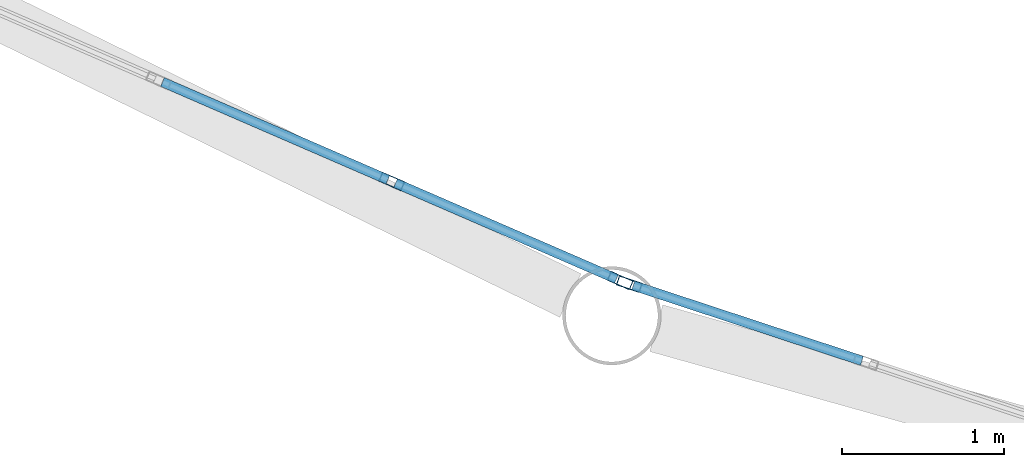
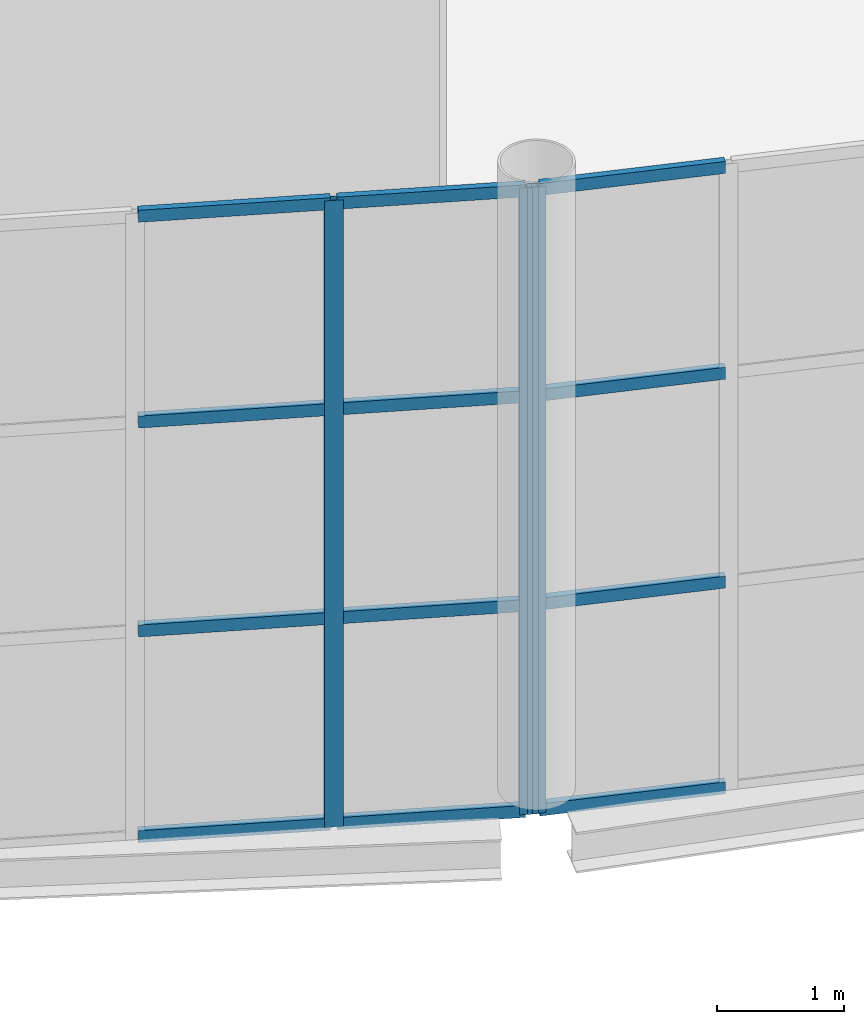
# One storey, part 22 of 191: 15 members, 2 elements without a shape of their own.
"""IFC4 building model written with IfcOpenShell, lengths in metres."""

from ifc_helpers import new_model, si_unit, direction, frame, origin, origin_2d, place, context, subcontext, project, spatial, hollow_rectangle, extrude, material, layer, layer_set, material_profile, profile_set, type_object, element, aggregate, save


model = new_model("IFC4")

# Units and contexts
model_context = context("Model", 3, precision=1e-05, world=origin(), true_north=direction((0.0, 1.0)))
body_context = subcontext(model_context, "Body", "Model", "MODEL_VIEW")
ifc_project = project(units=[si_unit("LENGTHUNIT", "METRE"), si_unit("AREAUNIT", "SQUARE_METRE"), si_unit("VOLUMEUNIT", "CUBIC_METRE"), si_unit("PLANEANGLEUNIT", "RADIAN"), si_unit("MASSUNIT", "GRAM", prefix="KILO")], contexts=[model_context])

# Site, building, storey
site_placement = place(None, origin())
site = spatial("IfcSite", under=ifc_project, at=site_placement, CompositionType="ELEMENT")
building_placement = place(site_placement, origin())
building = spatial("IfcBuilding", under=site, at=building_placement, Name="Tamarisk Ironworks Central Station", CompositionType="ELEMENT")
storey_placement = place(building_placement, frame((0.0, 0.0, 6.60009765625)))
storey = spatial("IfcBuildingStorey", under=building, at=storey_placement, Name="L01", CompositionType="ELEMENT", Elevation=6.60009765625)

# Curtain wall, members
ifc_material = material(Name="Anodized aluminium alloy 6063-T6", Category="aluminium")
ifc_layer = layer(ifc_material, 0.179931640625)
ifc_layer_set = layer_set([ifc_layer], Name="Anodized aluminium alloy 6063-T6")
curtain_wall_type = type_object("IfcCurtainWallType", Name="CW-02", PredefinedType="USERDEFINED", material=ifc_layer_set)
curtain_wall_1_placement = place(storey_placement, origin())
curtain_wall_1 = element("IfcCurtainWall", 1, at=curtain_wall_1_placement, inside=storey, type_object=curtain_wall_type, Name="SN rounded entrance hall L01 curtain wall bay 02", ObjectType="GLAZED CURTAIN WALL", PredefinedType="USERDEFINED")
ifc_material_profile_1 = material_profile(ifc_material, hollow_rectangle(XDim=0.06005859375, YDim=0.14990234375, WallThickness=0.00341796875, at=origin_2d()), Name="ALUM 150x60")
ifc_profile_set_1 = profile_set([ifc_material_profile_1], Name="Anodized aluminium alloy 6063-T6")
member_type_1 = type_object("IfcMemberType", Name="CWM-03", PredefinedType="MULLION", material=ifc_profile_set_1)
member_1_placement = place(storey_placement, frame((61.128173828125, 7.4775390625, -0.385009765625), z_axis=(0.0, 0.0, 1.0), x_axis=(0.398076935564, 0.917352033503, 0.0)))
member_1 = element("IfcMember", 2, at=member_1_placement, type_object=member_type_1, Name="CW02 mullion 3", PredefinedType="MULLION", context=body_context, shape_type="SweptSolid", body=[
    extrude(hollow_rectangle(XDim=0.06005859375, YDim=0.14990234375, WallThickness=0.00341796875, at=origin_2d()), origin(), (0.0, 0.0, 1.0), 6.0048828125),
])
member_2_placement = place(storey_placement, frame((62.540771484375, 6.864501953125, -0.385009765625), z_axis=(0.0, 0.0, 1.0), x_axis=(0.398076935564, 0.917352033503, 0.0)))
member_2 = element("IfcMember", 3, at=member_2_placement, type_object=member_type_1, Name="CW02 mullion 4", PredefinedType="MULLION", context=body_context, shape_type="SweptSolid", body=[
    extrude(hollow_rectangle(XDim=0.06005859375, YDim=0.14990234375, WallThickness=0.00341796875, at=origin_2d()), origin(), (0.0, 0.0, 1.0), 6.0048828125),
])

# Curtain wall, member
curtain_wall_2_placement = place(storey_placement, origin())
curtain_wall_2 = element("IfcCurtainWall", 4, at=curtain_wall_2_placement, inside=storey, type_object=curtain_wall_type, Name="SN rounded entrance hall L01 curtain wall bay 03", ObjectType="GLAZED CURTAIN WALL", PredefinedType="USERDEFINED")
member_3_placement = place(storey_placement, frame((62.5966796875, 6.84326171875, -0.385009765625), z_axis=(0.0, 0.0, 1.0), x_axis=(0.313098460171, 0.949720671692, 0.0)))
member_3 = element("IfcMember", 5, at=member_3_placement, type_object=member_type_1, Name="CW02 mullion 1", PredefinedType="MULLION", context=body_context, shape_type="SweptSolid", body=[
    extrude(hollow_rectangle(XDim=0.06005859375, YDim=0.14990234375, WallThickness=0.00341796875, at=origin_2d()), origin(), (0.0, 0.0, 1.0), 6.0048828125),
])

# Member
ifc_material_profile_2 = material_profile(ifc_material, hollow_rectangle(XDim=0.06005859375, YDim=0.114990234375, WallThickness=0.00341796875, at=origin_2d()), Name="ALUM 115x60")
ifc_profile_set_2 = profile_set([ifc_material_profile_2], Name="Anodized aluminium alloy 6063-T6")
member_type_2 = type_object("IfcMemberType", Name="CWT-03", PredefinedType="USERDEFINED", material=ifc_profile_set_2)
member_4_placement = place(storey_placement, frame((59.711669921875, 8.092041015625, -0.35498046875), z_axis=(0.917363848838, -0.3980497065, 0.0), x_axis=(0.3980497065, 0.917363848838, 0.0)))
member_4 = element("IfcMember", 6, at=member_4_placement, type_object=member_type_2, Name="CW02 transom 2.1", ObjectType="TRANSOM", PredefinedType="USERDEFINED", context=body_context, shape_type="SweptSolid", body=[
    extrude(hollow_rectangle(XDim=0.06005859375, YDim=0.114990234375, WallThickness=0.00341796875, at=origin_2d()), origin(), (0.0, 0.0, 1.0), 1.51806640625),
])

member_5_placement = place(storey_placement, frame((59.711669921875, 8.092041015625, 1.61669921875), z_axis=(0.917363848838, -0.3980497065, 0.0), x_axis=(0.3980497065, 0.917363848838, 0.0)))
member_5 = element("IfcMember", 7, at=member_5_placement, type_object=member_type_2, Name="CW02 transom 2.2", ObjectType="TRANSOM", PredefinedType="USERDEFINED", context=body_context, shape_type="SweptSolid", body=[
    extrude(hollow_rectangle(XDim=0.06005859375, YDim=0.114990234375, WallThickness=0.00341796875, at=origin_2d()), origin(), (0.0, 0.0, 1.0), 1.51806640625),
])

member_6_placement = place(storey_placement, frame((59.711669921875, 8.092041015625, 3.6181640625), z_axis=(0.917363848838, -0.3980497065, 0.0), x_axis=(0.3980497065, 0.917363848838, 0.0)))
member_6 = element("IfcMember", 8, at=member_6_placement, type_object=member_type_2, Name="CW02 transom 2.3", ObjectType="TRANSOM", PredefinedType="USERDEFINED", context=body_context, shape_type="SweptSolid", body=[
    extrude(hollow_rectangle(XDim=0.06005859375, YDim=0.114990234375, WallThickness=0.00341796875, at=origin_2d()), origin(), (0.0, 0.0, 1.0), 1.51806640625),
])

member_7_placement = place(storey_placement, frame((59.711669921875, 8.092041015625, 5.58984375), z_axis=(0.917363848838, -0.3980497065, 0.0), x_axis=(0.3980497065, 0.917363848838, 0.0)))
member_7 = element("IfcMember", 9, at=member_7_placement, type_object=member_type_2, Name="CW02 transom 2.4", ObjectType="TRANSOM", PredefinedType="USERDEFINED", context=body_context, shape_type="SweptSolid", body=[
    extrude(hollow_rectangle(XDim=0.06005859375, YDim=0.114990234375, WallThickness=0.00341796875, at=origin_2d()), origin(), (0.0, 0.0, 1.0), 1.51806640625),
])

member_8_placement = place(storey_placement, frame((61.15185546875, 7.46728515625, -0.35498046875), z_axis=(0.91736196863, -0.398054039688, 0.0), x_axis=(0.398054039688, 0.91736196863, 0.0)))
member_8 = element("IfcMember", 10, at=member_8_placement, type_object=member_type_2, Name="CW02 transom 3.1", ObjectType="TRANSOM", PredefinedType="USERDEFINED", context=body_context, shape_type="SweptSolid", body=[
    extrude(hollow_rectangle(XDim=0.06005859375, YDim=0.114990234375, WallThickness=0.00341796875, at=origin_2d()), origin(), (0.0, 0.0, 1.0), 1.488037109375),
])

member_9_placement = place(storey_placement, frame((61.15185546875, 7.46728515625, 1.61669921875), z_axis=(0.91736196863, -0.398054039688, 0.0), x_axis=(0.398054039688, 0.91736196863, 0.0)))
member_9 = element("IfcMember", 11, at=member_9_placement, type_object=member_type_2, Name="CW02 transom 3.2", ObjectType="TRANSOM", PredefinedType="USERDEFINED", context=body_context, shape_type="SweptSolid", body=[
    extrude(hollow_rectangle(XDim=0.06005859375, YDim=0.114990234375, WallThickness=0.00341796875, at=origin_2d()), origin(), (0.0, 0.0, 1.0), 1.488037109375),
])

member_10_placement = place(storey_placement, frame((61.15185546875, 7.46728515625, 3.6181640625), z_axis=(0.91736196863, -0.398054039688, 0.0), x_axis=(0.398054039688, 0.91736196863, 0.0)))
member_10 = element("IfcMember", 12, at=member_10_placement, type_object=member_type_2, Name="CW02 transom 3.3", ObjectType="TRANSOM", PredefinedType="USERDEFINED", context=body_context, shape_type="SweptSolid", body=[
    extrude(hollow_rectangle(XDim=0.06005859375, YDim=0.114990234375, WallThickness=0.00341796875, at=origin_2d()), origin(), (0.0, 0.0, 1.0), 1.488037109375),
])

member_11_placement = place(storey_placement, frame((61.15185546875, 7.46728515625, 5.58984375), z_axis=(0.91736196863, -0.398054039688, 0.0), x_axis=(0.398054039688, 0.91736196863, 0.0)))
member_11 = element("IfcMember", 13, at=member_11_placement, type_object=member_type_2, Name="CW02 transom 3.4", ObjectType="TRANSOM", PredefinedType="USERDEFINED", context=body_context, shape_type="SweptSolid", body=[
    extrude(hollow_rectangle(XDim=0.06005859375, YDim=0.114990234375, WallThickness=0.00341796875, at=origin_2d()), origin(), (0.0, 0.0, 1.0), 1.488037109375),
])

aggregate(curtain_wall_1, [member_1, member_2, member_4, member_5, member_6, member_7, member_8, member_9, member_10, member_11])

member_12_placement = place(storey_placement, frame((62.621337890625, 6.8349609375, -0.35498046875), z_axis=(0.949728215622, -0.313075576262, 0.0), x_axis=(0.313075576262, 0.949728215622, 0.0)))
member_12 = element("IfcMember", 14, at=member_12_placement, type_object=member_type_2, Name="CW02 transom 1.1", ObjectType="TRANSOM", PredefinedType="USERDEFINED", context=body_context, shape_type="SweptSolid", body=[
    extrude(hollow_rectangle(XDim=0.06005859375, YDim=0.114990234375, WallThickness=0.00341796875, at=origin_2d()), origin(), (0.0, 0.0, 1.0), 1.48779296875),
])

member_13_placement = place(storey_placement, frame((62.621337890625, 6.8349609375, 1.61669921875), z_axis=(0.949728215622, -0.313075576262, 0.0), x_axis=(0.313075576262, 0.949728215622, 0.0)))
member_13 = element("IfcMember", 15, at=member_13_placement, type_object=member_type_2, Name="CW02 transom 1.2", ObjectType="TRANSOM", PredefinedType="USERDEFINED", context=body_context, shape_type="SweptSolid", body=[
    extrude(hollow_rectangle(XDim=0.06005859375, YDim=0.114990234375, WallThickness=0.00341796875, at=origin_2d()), origin(), (0.0, 0.0, 1.0), 1.48779296875),
])

member_14_placement = place(storey_placement, frame((62.621337890625, 6.8349609375, 3.6181640625), z_axis=(0.949728215622, -0.313075576262, 0.0), x_axis=(0.313075576262, 0.949728215622, 0.0)))
member_14 = element("IfcMember", 16, at=member_14_placement, type_object=member_type_2, Name="CW02 transom 1.3", ObjectType="TRANSOM", PredefinedType="USERDEFINED", context=body_context, shape_type="SweptSolid", body=[
    extrude(hollow_rectangle(XDim=0.06005859375, YDim=0.114990234375, WallThickness=0.00341796875, at=origin_2d()), origin(), (0.0, 0.0, 1.0), 1.48779296875),
])

member_15_placement = place(storey_placement, frame((62.621337890625, 6.8349609375, 5.58984375), z_axis=(0.949728215622, -0.313075576262, 0.0), x_axis=(0.313075576262, 0.949728215622, 0.0)))
member_15 = element("IfcMember", 17, at=member_15_placement, type_object=member_type_2, Name="CW02 transom 1.4", ObjectType="TRANSOM", PredefinedType="USERDEFINED", context=body_context, shape_type="SweptSolid", body=[
    extrude(hollow_rectangle(XDim=0.06005859375, YDim=0.114990234375, WallThickness=0.00341796875, at=origin_2d()), origin(), (0.0, 0.0, 1.0), 1.48779296875),
])

aggregate(curtain_wall_2, [member_3, member_12, member_13, member_14, member_15])

save(model, "model.ifc")
